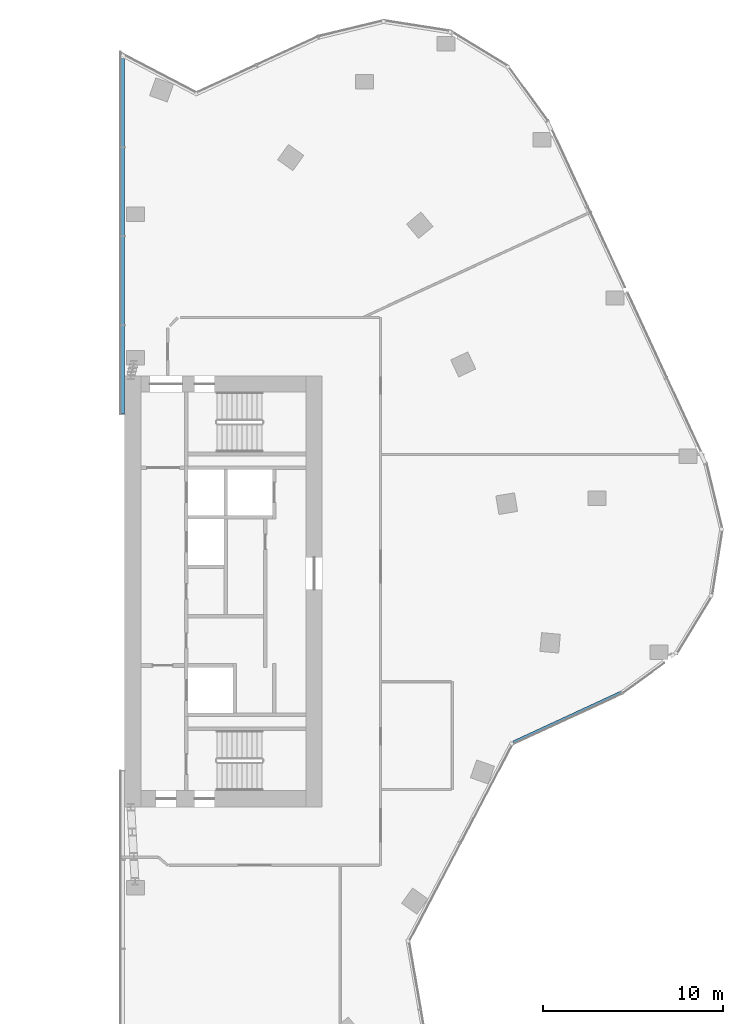
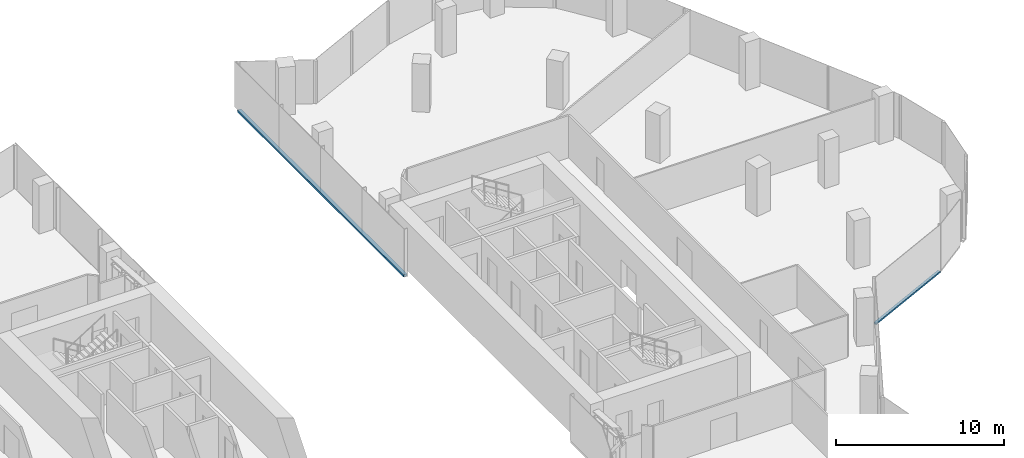
# One storey, part 8 of 23: 2 members, 2 elements without a shape of their own.
"""IFC4 building model written with IfcOpenShell, lengths in metres."""

from ifc_helpers import new_model, si_unit, direction, frame, origin, origin_2d, place, context, subcontext, project, spatial, rectangle, extrude, material, material_profile, profile_set, type_object, element, aggregate, save


model = new_model("IFC4")

# Units and contexts
model_context = context("Model", 3, precision=1e-05, world=origin(), true_north=direction((0.0, 1.0)))
body_context = subcontext(model_context, "Body", "Model", "MODEL_VIEW")
ifc_project = project(units=[si_unit("LENGTHUNIT", "METRE"), si_unit("AREAUNIT", "SQUARE_METRE"), si_unit("VOLUMEUNIT", "CUBIC_METRE"), si_unit("PLANEANGLEUNIT", "RADIAN"), si_unit("MASSUNIT", "GRAM", prefix="KILO")], contexts=[model_context])

# Site, building, storey
site_placement = place(None, origin())
site = spatial("IfcSite", under=ifc_project, at=site_placement, CompositionType="ELEMENT")
building_placement = place(site_placement, origin())
building = spatial("IfcBuilding", under=site, at=building_placement, Name="Orlundy Tower", CompositionType="ELEMENT")
storey_placement = place(building_placement, frame((0.0, 0.0, 264.0)))
storey = spatial("IfcBuildingStorey", under=building, at=storey_placement, Name="L70", CompositionType="ELEMENT", Elevation=264.0)

# Curtain wall, member
ifc_material_1 = material(Name="Aluminium bronze anodised", Category="aluminium")
curtain_wall_type = type_object("IfcCurtainWallType", Name="CW1 wall", PredefinedType="NOTDEFINED", material=ifc_material_1)
curtain_wall_1_placement = place(storey_placement, origin())
curtain_wall_1 = element("IfcCurtainWall", 1, at=curtain_wall_1_placement, inside=storey, type_object=curtain_wall_type, Name="CW1 run 110", PredefinedType="NOTDEFINED")
ifc_material_2 = material(Name="Aluminium bronze anodised", Category="aluminium")
ifc_material_profile_1 = material_profile(ifc_material_2, rectangle(XDim=0.179931640625, YDim=0.1201171875, at=origin_2d()), Name="CW1 transom 180x120")
ifc_profile_set_1 = profile_set([ifc_material_profile_1], Name="Aluminium bronze anodised")
member_type_1 = type_object("IfcMemberType", Name="CW1 transom 180x120", PredefinedType="USERDEFINED", material=ifc_profile_set_1)
member_1_placement = place(storey_placement, frame((35.64892578125, -5.639404296875, -0.340087890625), z_axis=(-0.907544697421, -0.41995550024, 0.0), x_axis=(0.41995550024, -0.907544697421, 0.0)))
member_1 = element("IfcMember", 2, at=member_1_placement, type_object=member_type_1, Name="CW1 transom", ObjectType="TRANSOM", PredefinedType="USERDEFINED", context=body_context, shape_type="SweptSolid", body=[
    extrude(rectangle(XDim=0.179931640625, YDim=0.1201171875, at=origin_2d()), origin(), (0.0, 0.0, 1.0), 6.623779296875),
])
aggregate(curtain_wall_1, [member_1])

curtain_wall_2_placement = place(storey_placement, origin())
curtain_wall_2 = element("IfcCurtainWall", 3, at=curtain_wall_2_placement, inside=storey, type_object=curtain_wall_type, Name="CW1 run 118", PredefinedType="NOTDEFINED")
ifc_material_3 = material(Name="Aluminium bronze anodised", Category="aluminium")
ifc_material_profile_2 = material_profile(ifc_material_3, rectangle(XDim=0.239990234375, YDim=0.159912109375, at=origin_2d()), Name="CW6 transom 240x160")
ifc_profile_set_2 = profile_set([ifc_material_profile_2], Name="Aluminium bronze anodised")
member_type_2 = type_object("IfcMemberType", Name="CW6 transom 240x160", PredefinedType="USERDEFINED", material=ifc_profile_set_2)
member_2_placement = place(storey_placement, frame((7.8798828125, 9.87646484375, -0.320068359375), z_axis=(0.0, 1.0, 0.0), x_axis=(-1.0, 0.0, 0.0)))
member_2 = element("IfcMember", 4, at=member_2_placement, type_object=member_type_2, Name="CW6 transom", ObjectType="TRANSOM", PredefinedType="USERDEFINED", context=body_context, shape_type="SweptSolid", body=[
    extrude(rectangle(XDim=0.239990234375, YDim=0.159912109375, at=origin_2d()), origin(), (0.0, 0.0, 1.0), 19.802490234375),
])
aggregate(curtain_wall_2, [member_2])

save(model, "model.ifc")
